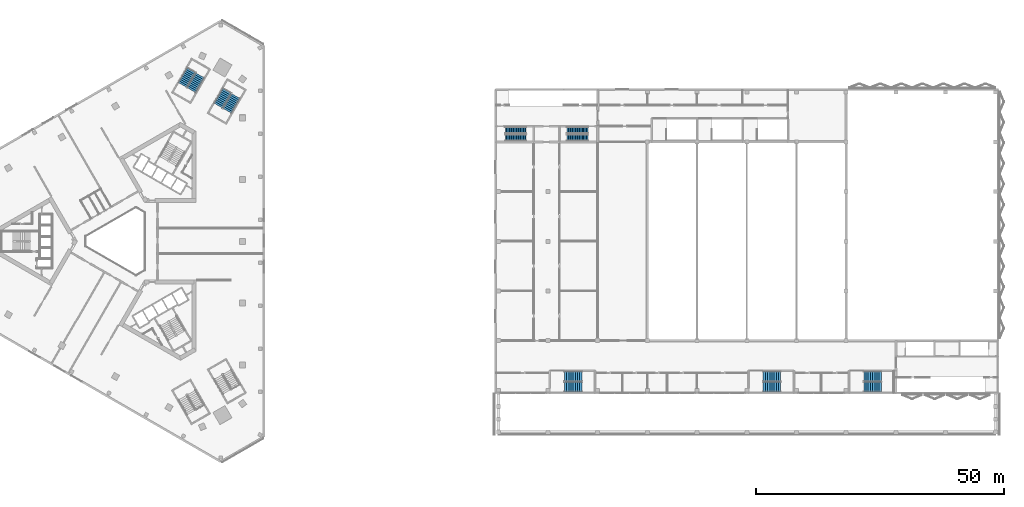
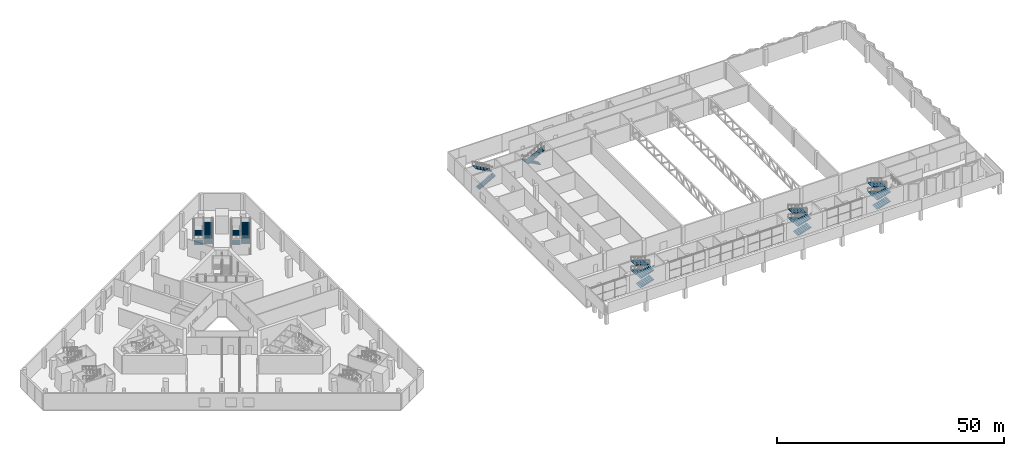
# One storey, part 21 of 36: 24 stair flights, 7 elements without a shape of their own.
"""IFC4 building model written with IfcOpenShell, lengths in metres."""

from ifc_helpers import new_model, si_unit, direction, frame, origin, place, context, subcontext, project, spatial, polyline, outline, extrude, material, type_object, element, aggregate, save


model = new_model("IFC4")

# Units and contexts
model_context = context("Model", 3, precision=1e-05, world=origin(), true_north=direction((0.0, 1.0)))
body_context = subcontext(model_context, "Body", "Model", "MODEL_VIEW")
ifc_project = project(units=[si_unit("LENGTHUNIT", "METRE"), si_unit("AREAUNIT", "SQUARE_METRE"), si_unit("VOLUMEUNIT", "CUBIC_METRE"), si_unit("PLANEANGLEUNIT", "RADIAN"), si_unit("MASSUNIT", "GRAM", prefix="KILO")], contexts=[model_context])

# Site, building, storey
site_placement = place(None, origin())
site = spatial("IfcSite", under=ifc_project, at=site_placement, CompositionType="ELEMENT")
building_placement = place(site_placement, origin())
building = spatial("IfcBuilding", under=site, at=building_placement, Name="Jabali Bay Hotel Tower and Convention Centre", CompositionType="ELEMENT")
storey_placement = place(building_placement, frame((0.0, 0.0, 20.39990234375)))
storey = spatial("IfcBuildingStorey", under=building, at=storey_placement, Name="L03", CompositionType="ELEMENT", Elevation=20.39990234375)

# Stair, stair flights
ifc_material = material(Name="Concrete C40", Category="concrete")
stair_type_1 = type_object("IfcStairType", Name="CC Dogleg Stair 1350", PredefinedType="HALF_TURN_STAIR", material=ifc_material)
stair_1_placement = place(storey_placement, origin())
stair_1 = element("IfcStair", 1, at=stair_1_placement, inside=storey, type_object=stair_type_1, Name="L03 West stair A", PredefinedType="HALF_TURN_STAIR")
stair_flight_type_1 = type_object("IfcStairFlightType", Name="CC Stair Flight 1350", PredefinedType="STRAIGHT", material=ifc_material)
stair_flight_1_placement = place(storey_placement, frame((152.10009765625, 100.85009765625, 0.0), z_axis=(0.0, 0.0, 1.0), x_axis=(1.0, 0.0, 0.0)))
stair_flight_1 = element("IfcStairFlight", 2, at=stair_flight_1_placement, type_object=stair_flight_type_1, Name="CC-STWA flight 1", NumberOfRisers=16, NumberOfTreads=15, PredefinedType="STRAIGHT", RiserHeight=0.15625, TreadLength=0.28, context=body_context, shape_type="SweptSolid", body=[
    extrude(outline(polyline([(0.0, 0.0), (0.0, 0.15625), (0.280029296875, 0.15625), (0.280029296875, 0.3125), (0.56005859375, 0.3125), (0.56005859375, 0.46875), (0.840087890625, 0.46875), (0.840087890625, 0.625), (1.1201171875, 0.625), (1.1201171875, 0.78125), (1.39990234375, 0.78125), (1.39990234375, 0.9375), (1.679931640625, 0.9375), (1.679931640625, 1.09375), (1.9599609375, 1.09375), (1.9599609375, 1.25), (2.239990234375, 1.25), (2.239990234375, 1.40625), (2.52001953125, 1.40625), (2.52001953125, 1.5625), (2.800048828125, 1.5625), (2.800048828125, 1.71875), (3.080078125, 1.71875), (3.080078125, 1.875), (3.360107421875, 1.875), (3.360107421875, 2.03125), (3.639892578125, 2.03125), (3.639892578125, 2.1875), (3.919921875, 2.1875), (3.919921875, 2.34375), (4.199951171875, 2.34375), (4.199951171875, 2.5), (4.199951171875, 2.172119140625), (0.3076171875, 0.0), (0.0, 0.0)])), frame((0.0, 0.675048828125, 0.0), z_axis=(0.0, -1.0, 0.0), x_axis=(1.0, 0.0, 0.0)), (0.0, 0.0, 1.0), 1.35009765625),
])
stair_flight_2_placement = place(storey_placement, frame((156.300048828125, 102.35009765625, 2.5), z_axis=(0.0, 0.0, 1.0), x_axis=(-1.0, 0.0, 0.0)))
stair_flight_2 = element("IfcStairFlight", 3, at=stair_flight_2_placement, type_object=stair_flight_type_1, Name="CC-STWA flight 2", NumberOfRisers=16, NumberOfTreads=15, PredefinedType="STRAIGHT", RiserHeight=0.15625, TreadLength=0.28, context=body_context, shape_type="SweptSolid", body=[
    extrude(outline(polyline([(0.0, 0.0), (0.0, 0.15625), (0.280029296875, 0.15625), (0.280029296875, 0.3125), (0.56005859375, 0.3125), (0.56005859375, 0.46875), (0.840087890625, 0.46875), (0.840087890625, 0.625), (1.1201171875, 0.625), (1.1201171875, 0.78125), (1.39990234375, 0.78125), (1.39990234375, 0.9375), (1.679931640625, 0.9375), (1.679931640625, 1.09375), (1.9599609375, 1.09375), (1.9599609375, 1.25), (2.239990234375, 1.25), (2.239990234375, 1.40625), (2.52001953125, 1.40625), (2.52001953125, 1.5625), (2.800048828125, 1.5625), (2.800048828125, 1.71875), (3.080078125, 1.71875), (3.080078125, 1.875), (3.360107421875, 1.875), (3.360107421875, 2.03125), (3.639892578125, 2.03125), (3.639892578125, 2.1875), (3.919921875, 2.1875), (3.919921875, 2.34375), (4.199951171875, 2.34375), (4.199951171875, 2.5), (4.199951171875, 2.172119140625), (0.3076171875, 0.0), (0.0, 0.0)])), frame((0.0, 0.675048828125, 0.0), z_axis=(0.0, -1.0, 0.0), x_axis=(1.0, 0.0, 0.0)), (0.0, 0.0, 1.0), 1.35009765625),
])
aggregate(stair_1, [stair_flight_1, stair_flight_2])

stair_2_placement = place(storey_placement, origin())
stair_2 = element("IfcStair", 4, at=stair_2_placement, inside=storey, type_object=stair_type_1, Name="L03 West stair B", PredefinedType="HALF_TURN_STAIR")
stair_flight_3_placement = place(storey_placement, frame((168.72509765625, 102.35009765625, 0.0), z_axis=(0.0, 0.0, 1.0), x_axis=(-1.0, 0.0, 0.0)))
stair_flight_3 = element("IfcStairFlight", 5, at=stair_flight_3_placement, type_object=stair_flight_type_1, Name="CC-STWB flight 1", NumberOfRisers=16, NumberOfTreads=15, PredefinedType="STRAIGHT", RiserHeight=0.15625, TreadLength=0.28, context=body_context, shape_type="SweptSolid", body=[
    extrude(outline(polyline([(0.0, 0.0), (0.0, 0.15625), (0.280029296875, 0.15625), (0.280029296875, 0.3125), (0.56005859375, 0.3125), (0.56005859375, 0.46875), (0.840087890625, 0.46875), (0.840087890625, 0.625), (1.1201171875, 0.625), (1.1201171875, 0.78125), (1.39990234375, 0.78125), (1.39990234375, 0.9375), (1.679931640625, 0.9375), (1.679931640625, 1.09375), (1.9599609375, 1.09375), (1.9599609375, 1.25), (2.239990234375, 1.25), (2.239990234375, 1.40625), (2.52001953125, 1.40625), (2.52001953125, 1.5625), (2.800048828125, 1.5625), (2.800048828125, 1.71875), (3.080078125, 1.71875), (3.080078125, 1.875), (3.360107421875, 1.875), (3.360107421875, 2.03125), (3.639892578125, 2.03125), (3.639892578125, 2.1875), (3.919921875, 2.1875), (3.919921875, 2.34375), (4.199951171875, 2.34375), (4.199951171875, 2.5), (4.199951171875, 2.172119140625), (0.3076171875, 0.0), (0.0, 0.0)])), frame((0.0, 0.675048828125, 0.0), z_axis=(0.0, -1.0, 0.0), x_axis=(1.0, 0.0, 0.0)), (0.0, 0.0, 1.0), 1.35009765625),
])
stair_flight_4_placement = place(storey_placement, frame((164.52490234375, 100.85009765625, 2.5), z_axis=(0.0, 0.0, 1.0), x_axis=(1.0, 0.0, 0.0)))
stair_flight_4 = element("IfcStairFlight", 6, at=stair_flight_4_placement, type_object=stair_flight_type_1, Name="CC-STWB flight 2", NumberOfRisers=16, NumberOfTreads=15, PredefinedType="STRAIGHT", RiserHeight=0.15625, TreadLength=0.28, context=body_context, shape_type="SweptSolid", body=[
    extrude(outline(polyline([(0.0, 0.0), (0.0, 0.15625), (0.280029296875, 0.15625), (0.280029296875, 0.3125), (0.56005859375, 0.3125), (0.56005859375, 0.46875), (0.840087890625, 0.46875), (0.840087890625, 0.625), (1.1201171875, 0.625), (1.1201171875, 0.78125), (1.39990234375, 0.78125), (1.39990234375, 0.9375), (1.679931640625, 0.9375), (1.679931640625, 1.09375), (1.9599609375, 1.09375), (1.9599609375, 1.25), (2.239990234375, 1.25), (2.239990234375, 1.40625), (2.52001953125, 1.40625), (2.52001953125, 1.5625), (2.800048828125, 1.5625), (2.800048828125, 1.71875), (3.080078125, 1.71875), (3.080078125, 1.875), (3.360107421875, 1.875), (3.360107421875, 2.03125), (3.639892578125, 2.03125), (3.639892578125, 2.1875), (3.919921875, 2.1875), (3.919921875, 2.34375), (4.199951171875, 2.34375), (4.199951171875, 2.5), (4.199951171875, 2.172119140625), (0.3076171875, 0.0), (0.0, 0.0)])), frame((0.0, 0.675048828125, 0.0), z_axis=(0.0, -1.0, 0.0), x_axis=(1.0, 0.0, 0.0)), (0.0, 0.0, 1.0), 1.35009765625),
])
aggregate(stair_2, [stair_flight_3, stair_flight_4])

stair_3_placement = place(storey_placement, origin())
stair_3 = element("IfcStair", 7, at=stair_3_placement, inside=storey, type_object=stair_type_1, Name="L03 South Exit Stair 1", PredefinedType="HALF_TURN_STAIR")
stair_flight_5_placement = place(storey_placement, frame((164.0, 50.699951171875, 0.0), z_axis=(0.0, 0.0, 1.0), x_axis=(1.0, 0.0, 0.0)))
stair_flight_5 = element("IfcStairFlight", 8, at=stair_flight_5_placement, type_object=stair_flight_type_1, Name="CC-STS1 flight 1", NumberOfRisers=9, NumberOfTreads=8, PredefinedType="STRAIGHT", RiserHeight=0.138888889, TreadLength=0.44, context=body_context, shape_type="SweptSolid", body=[
    extrude(outline(polyline([(0.0, 0.0), (0.0, 0.138916015625), (0.43994140625, 0.138916015625), (0.43994140625, 0.27783203125), (0.8798828125, 0.27783203125), (0.8798828125, 0.416748046875), (1.320068359375, 0.416748046875), (1.320068359375, 0.5556640625), (1.760009765625, 0.5556640625), (1.760009765625, 0.6943359375), (2.199951171875, 0.6943359375), (2.199951171875, 0.833251953125), (2.639892578125, 0.833251953125), (2.639892578125, 0.97216796875), (3.080078125, 0.97216796875), (3.080078125, 1.111083984375), (3.52001953125, 1.111083984375), (3.52001953125, 1.25), (3.52001953125, 0.953857421875), (0.498046875, 0.0), (0.0, 0.0)])), frame((0.0, 1.0, 0.0), z_axis=(0.0, -1.0, 0.0), x_axis=(1.0, 0.0, 0.0)), (0.0, 0.0, 1.0), 2.0),
])
stair_flight_6_placement = place(storey_placement, frame((167.52001953125, 52.800048828125, 1.25), z_axis=(0.0, 0.0, 1.0), x_axis=(-1.0, 0.0, 0.0)))
stair_flight_6 = element("IfcStairFlight", 9, at=stair_flight_6_placement, type_object=stair_flight_type_1, Name="CC-STS1 flight 2", NumberOfRisers=9, NumberOfTreads=8, PredefinedType="STRAIGHT", RiserHeight=0.138888889, TreadLength=0.44, context=body_context, shape_type="SweptSolid", body=[
    extrude(outline(polyline([(0.0, 0.0), (0.0, 0.138916015625), (0.43994140625, 0.138916015625), (0.43994140625, 0.27783203125), (0.8798828125, 0.27783203125), (0.8798828125, 0.416748046875), (1.320068359375, 0.416748046875), (1.320068359375, 0.5556640625), (1.760009765625, 0.5556640625), (1.760009765625, 0.6943359375), (2.199951171875, 0.6943359375), (2.199951171875, 0.833251953125), (2.639892578125, 0.833251953125), (2.639892578125, 0.97216796875), (3.080078125, 0.97216796875), (3.080078125, 1.111083984375), (3.52001953125, 1.111083984375), (3.52001953125, 1.25), (3.52001953125, 0.953857421875), (0.498046875, 0.0), (0.0, 0.0)])), frame((0.0, 1.0, 0.0), z_axis=(0.0, -1.0, 0.0), x_axis=(1.0, 0.0, 0.0)), (0.0, 0.0, 1.0), 2.0),
])
stair_flight_7_placement = place(storey_placement, frame((164.0, 50.699951171875, 2.5), z_axis=(0.0, 0.0, 1.0), x_axis=(1.0, 0.0, 0.0)))
stair_flight_7 = element("IfcStairFlight", 10, at=stair_flight_7_placement, type_object=stair_flight_type_1, Name="CC-STS1 flight 3", NumberOfRisers=9, NumberOfTreads=8, PredefinedType="STRAIGHT", RiserHeight=0.138888889, TreadLength=0.44, context=body_context, shape_type="SweptSolid", body=[
    extrude(outline(polyline([(0.0, 0.0), (0.0, 0.138916015625), (0.43994140625, 0.138916015625), (0.43994140625, 0.27783203125), (0.8798828125, 0.27783203125), (0.8798828125, 0.416748046875), (1.320068359375, 0.416748046875), (1.320068359375, 0.5556640625), (1.760009765625, 0.5556640625), (1.760009765625, 0.6943359375), (2.199951171875, 0.6943359375), (2.199951171875, 0.833251953125), (2.639892578125, 0.833251953125), (2.639892578125, 0.97216796875), (3.080078125, 0.97216796875), (3.080078125, 1.111083984375), (3.52001953125, 1.111083984375), (3.52001953125, 1.25), (3.52001953125, 0.953857421875), (0.498046875, 0.0), (0.0, 0.0)])), frame((0.0, 1.0, 0.0), z_axis=(0.0, -1.0, 0.0), x_axis=(1.0, 0.0, 0.0)), (0.0, 0.0, 1.0), 2.0),
])
stair_flight_8_placement = place(storey_placement, frame((167.52001953125, 52.800048828125, 3.75), z_axis=(0.0, 0.0, 1.0), x_axis=(-1.0, 0.0, 0.0)))
stair_flight_8 = element("IfcStairFlight", 11, at=stair_flight_8_placement, type_object=stair_flight_type_1, Name="CC-STS1 flight 4", NumberOfRisers=9, NumberOfTreads=8, PredefinedType="STRAIGHT", RiserHeight=0.138888889, TreadLength=0.44, context=body_context, shape_type="SweptSolid", body=[
    extrude(outline(polyline([(0.0, 0.0), (0.0, 0.138916015625), (0.43994140625, 0.138916015625), (0.43994140625, 0.27783203125), (0.8798828125, 0.27783203125), (0.8798828125, 0.416748046875), (1.320068359375, 0.416748046875), (1.320068359375, 0.5556640625), (1.760009765625, 0.5556640625), (1.760009765625, 0.6943359375), (2.199951171875, 0.6943359375), (2.199951171875, 0.833251953125), (2.639892578125, 0.833251953125), (2.639892578125, 0.97216796875), (3.080078125, 0.97216796875), (3.080078125, 1.111083984375), (3.52001953125, 1.111083984375), (3.52001953125, 1.25), (3.52001953125, 0.953857421875), (0.498046875, 0.0), (0.0, 0.0)])), frame((0.0, 1.0, 0.0), z_axis=(0.0, -1.0, 0.0), x_axis=(1.0, 0.0, 0.0)), (0.0, 0.0, 1.0), 2.0),
])
aggregate(stair_3, [stair_flight_5, stair_flight_6, stair_flight_7, stair_flight_8])

stair_4_placement = place(storey_placement, origin())
stair_4 = element("IfcStair", 12, at=stair_4_placement, inside=storey, type_object=stair_type_1, Name="L03 South Exit Stair 2", PredefinedType="HALF_TURN_STAIR")
stair_flight_9_placement = place(storey_placement, frame((204.0, 50.699951171875, 0.0), z_axis=(0.0, 0.0, 1.0), x_axis=(1.0, 0.0, 0.0)))
stair_flight_9 = element("IfcStairFlight", 13, at=stair_flight_9_placement, type_object=stair_flight_type_1, Name="CC-STS2 flight 1", NumberOfRisers=9, NumberOfTreads=8, PredefinedType="STRAIGHT", RiserHeight=0.138888889, TreadLength=0.44, context=body_context, shape_type="SweptSolid", body=[
    extrude(outline(polyline([(0.0, 0.0), (0.0, 0.138916015625), (0.43994140625, 0.138916015625), (0.43994140625, 0.27783203125), (0.8798828125, 0.27783203125), (0.8798828125, 0.416748046875), (1.320068359375, 0.416748046875), (1.320068359375, 0.5556640625), (1.760009765625, 0.5556640625), (1.760009765625, 0.6943359375), (2.199951171875, 0.6943359375), (2.199951171875, 0.833251953125), (2.639892578125, 0.833251953125), (2.639892578125, 0.97216796875), (3.080078125, 0.97216796875), (3.080078125, 1.111083984375), (3.52001953125, 1.111083984375), (3.52001953125, 1.25), (3.52001953125, 0.953857421875), (0.498046875, 0.0), (0.0, 0.0)])), frame((0.0, 1.0, 0.0), z_axis=(0.0, -1.0, 0.0), x_axis=(1.0, 0.0, 0.0)), (0.0, 0.0, 1.0), 2.0),
])
stair_flight_10_placement = place(storey_placement, frame((207.52001953125, 52.800048828125, 1.25), z_axis=(0.0, 0.0, 1.0), x_axis=(-1.0, 0.0, 0.0)))
stair_flight_10 = element("IfcStairFlight", 14, at=stair_flight_10_placement, type_object=stair_flight_type_1, Name="CC-STS2 flight 2", NumberOfRisers=9, NumberOfTreads=8, PredefinedType="STRAIGHT", RiserHeight=0.138888889, TreadLength=0.44, context=body_context, shape_type="SweptSolid", body=[
    extrude(outline(polyline([(0.0, 0.0), (0.0, 0.138916015625), (0.43994140625, 0.138916015625), (0.43994140625, 0.27783203125), (0.8798828125, 0.27783203125), (0.8798828125, 0.416748046875), (1.320068359375, 0.416748046875), (1.320068359375, 0.5556640625), (1.760009765625, 0.5556640625), (1.760009765625, 0.6943359375), (2.199951171875, 0.6943359375), (2.199951171875, 0.833251953125), (2.639892578125, 0.833251953125), (2.639892578125, 0.97216796875), (3.080078125, 0.97216796875), (3.080078125, 1.111083984375), (3.52001953125, 1.111083984375), (3.52001953125, 1.25), (3.52001953125, 0.953857421875), (0.498046875, 0.0), (0.0, 0.0)])), frame((0.0, 1.0, 0.0), z_axis=(0.0, -1.0, 0.0), x_axis=(1.0, 0.0, 0.0)), (0.0, 0.0, 1.0), 2.0),
])
stair_flight_11_placement = place(storey_placement, frame((204.0, 50.699951171875, 2.5), z_axis=(0.0, 0.0, 1.0), x_axis=(1.0, 0.0, 0.0)))
stair_flight_11 = element("IfcStairFlight", 15, at=stair_flight_11_placement, type_object=stair_flight_type_1, Name="CC-STS2 flight 3", NumberOfRisers=9, NumberOfTreads=8, PredefinedType="STRAIGHT", RiserHeight=0.138888889, TreadLength=0.44, context=body_context, shape_type="SweptSolid", body=[
    extrude(outline(polyline([(0.0, 0.0), (0.0, 0.138916015625), (0.43994140625, 0.138916015625), (0.43994140625, 0.27783203125), (0.8798828125, 0.27783203125), (0.8798828125, 0.416748046875), (1.320068359375, 0.416748046875), (1.320068359375, 0.5556640625), (1.760009765625, 0.5556640625), (1.760009765625, 0.6943359375), (2.199951171875, 0.6943359375), (2.199951171875, 0.833251953125), (2.639892578125, 0.833251953125), (2.639892578125, 0.97216796875), (3.080078125, 0.97216796875), (3.080078125, 1.111083984375), (3.52001953125, 1.111083984375), (3.52001953125, 1.25), (3.52001953125, 0.953857421875), (0.498046875, 0.0), (0.0, 0.0)])), frame((0.0, 1.0, 0.0), z_axis=(0.0, -1.0, 0.0), x_axis=(1.0, 0.0, 0.0)), (0.0, 0.0, 1.0), 2.0),
])
stair_flight_12_placement = place(storey_placement, frame((207.52001953125, 52.800048828125, 3.75), z_axis=(0.0, 0.0, 1.0), x_axis=(-1.0, 0.0, 0.0)))
stair_flight_12 = element("IfcStairFlight", 16, at=stair_flight_12_placement, type_object=stair_flight_type_1, Name="CC-STS2 flight 4", NumberOfRisers=9, NumberOfTreads=8, PredefinedType="STRAIGHT", RiserHeight=0.138888889, TreadLength=0.44, context=body_context, shape_type="SweptSolid", body=[
    extrude(outline(polyline([(0.0, 0.0), (0.0, 0.138916015625), (0.43994140625, 0.138916015625), (0.43994140625, 0.27783203125), (0.8798828125, 0.27783203125), (0.8798828125, 0.416748046875), (1.320068359375, 0.416748046875), (1.320068359375, 0.5556640625), (1.760009765625, 0.5556640625), (1.760009765625, 0.6943359375), (2.199951171875, 0.6943359375), (2.199951171875, 0.833251953125), (2.639892578125, 0.833251953125), (2.639892578125, 0.97216796875), (3.080078125, 0.97216796875), (3.080078125, 1.111083984375), (3.52001953125, 1.111083984375), (3.52001953125, 1.25), (3.52001953125, 0.953857421875), (0.498046875, 0.0), (0.0, 0.0)])), frame((0.0, 1.0, 0.0), z_axis=(0.0, -1.0, 0.0), x_axis=(1.0, 0.0, 0.0)), (0.0, 0.0, 1.0), 2.0),
])
aggregate(stair_4, [stair_flight_9, stair_flight_10, stair_flight_11, stair_flight_12])

stair_5_placement = place(storey_placement, origin())
stair_5 = element("IfcStair", 17, at=stair_5_placement, inside=storey, type_object=stair_type_1, Name="L03 South Exit Stair 3", PredefinedType="HALF_TURN_STAIR")
stair_flight_13_placement = place(storey_placement, frame((224.25, 50.699951171875, 0.0), z_axis=(0.0, 0.0, 1.0), x_axis=(1.0, 0.0, 0.0)))
stair_flight_13 = element("IfcStairFlight", 18, at=stair_flight_13_placement, type_object=stair_flight_type_1, Name="CC-STS3 flight 1", NumberOfRisers=9, NumberOfTreads=8, PredefinedType="STRAIGHT", RiserHeight=0.138888889, TreadLength=0.44, context=body_context, shape_type="SweptSolid", body=[
    extrude(outline(polyline([(0.0, 0.0), (0.0, 0.138916015625), (0.43994140625, 0.138916015625), (0.43994140625, 0.27783203125), (0.8798828125, 0.27783203125), (0.8798828125, 0.416748046875), (1.320068359375, 0.416748046875), (1.320068359375, 0.5556640625), (1.760009765625, 0.5556640625), (1.760009765625, 0.6943359375), (2.199951171875, 0.6943359375), (2.199951171875, 0.833251953125), (2.639892578125, 0.833251953125), (2.639892578125, 0.97216796875), (3.080078125, 0.97216796875), (3.080078125, 1.111083984375), (3.52001953125, 1.111083984375), (3.52001953125, 1.25), (3.52001953125, 0.953857421875), (0.498046875, 0.0), (0.0, 0.0)])), frame((0.0, 1.0, 0.0), z_axis=(0.0, -1.0, 0.0), x_axis=(1.0, 0.0, 0.0)), (0.0, 0.0, 1.0), 2.0),
])
stair_flight_14_placement = place(storey_placement, frame((227.77001953125, 52.800048828125, 1.25), z_axis=(0.0, 0.0, 1.0), x_axis=(-1.0, 0.0, 0.0)))
stair_flight_14 = element("IfcStairFlight", 19, at=stair_flight_14_placement, type_object=stair_flight_type_1, Name="CC-STS3 flight 2", NumberOfRisers=9, NumberOfTreads=8, PredefinedType="STRAIGHT", RiserHeight=0.138888889, TreadLength=0.44, context=body_context, shape_type="SweptSolid", body=[
    extrude(outline(polyline([(0.0, 0.0), (0.0, 0.138916015625), (0.43994140625, 0.138916015625), (0.43994140625, 0.27783203125), (0.8798828125, 0.27783203125), (0.8798828125, 0.416748046875), (1.320068359375, 0.416748046875), (1.320068359375, 0.5556640625), (1.760009765625, 0.5556640625), (1.760009765625, 0.6943359375), (2.199951171875, 0.6943359375), (2.199951171875, 0.833251953125), (2.639892578125, 0.833251953125), (2.639892578125, 0.97216796875), (3.080078125, 0.97216796875), (3.080078125, 1.111083984375), (3.52001953125, 1.111083984375), (3.52001953125, 1.25), (3.52001953125, 0.953857421875), (0.498046875, 0.0), (0.0, 0.0)])), frame((0.0, 1.0, 0.0), z_axis=(0.0, -1.0, 0.0), x_axis=(1.0, 0.0, 0.0)), (0.0, 0.0, 1.0), 2.0),
])
stair_flight_15_placement = place(storey_placement, frame((224.25, 50.699951171875, 2.5), z_axis=(0.0, 0.0, 1.0), x_axis=(1.0, 0.0, 0.0)))
stair_flight_15 = element("IfcStairFlight", 20, at=stair_flight_15_placement, type_object=stair_flight_type_1, Name="CC-STS3 flight 3", NumberOfRisers=9, NumberOfTreads=8, PredefinedType="STRAIGHT", RiserHeight=0.138888889, TreadLength=0.44, context=body_context, shape_type="SweptSolid", body=[
    extrude(outline(polyline([(0.0, 0.0), (0.0, 0.138916015625), (0.43994140625, 0.138916015625), (0.43994140625, 0.27783203125), (0.8798828125, 0.27783203125), (0.8798828125, 0.416748046875), (1.320068359375, 0.416748046875), (1.320068359375, 0.5556640625), (1.760009765625, 0.5556640625), (1.760009765625, 0.6943359375), (2.199951171875, 0.6943359375), (2.199951171875, 0.833251953125), (2.639892578125, 0.833251953125), (2.639892578125, 0.97216796875), (3.080078125, 0.97216796875), (3.080078125, 1.111083984375), (3.52001953125, 1.111083984375), (3.52001953125, 1.25), (3.52001953125, 0.953857421875), (0.498046875, 0.0), (0.0, 0.0)])), frame((0.0, 1.0, 0.0), z_axis=(0.0, -1.0, 0.0), x_axis=(1.0, 0.0, 0.0)), (0.0, 0.0, 1.0), 2.0),
])
stair_flight_16_placement = place(storey_placement, frame((227.77001953125, 52.800048828125, 3.75), z_axis=(0.0, 0.0, 1.0), x_axis=(-1.0, 0.0, 0.0)))
stair_flight_16 = element("IfcStairFlight", 21, at=stair_flight_16_placement, type_object=stair_flight_type_1, Name="CC-STS3 flight 4", NumberOfRisers=9, NumberOfTreads=8, PredefinedType="STRAIGHT", RiserHeight=0.138888889, TreadLength=0.44, context=body_context, shape_type="SweptSolid", body=[
    extrude(outline(polyline([(0.0, 0.0), (0.0, 0.138916015625), (0.43994140625, 0.138916015625), (0.43994140625, 0.27783203125), (0.8798828125, 0.27783203125), (0.8798828125, 0.416748046875), (1.320068359375, 0.416748046875), (1.320068359375, 0.5556640625), (1.760009765625, 0.5556640625), (1.760009765625, 0.6943359375), (2.199951171875, 0.6943359375), (2.199951171875, 0.833251953125), (2.639892578125, 0.833251953125), (2.639892578125, 0.97216796875), (3.080078125, 0.97216796875), (3.080078125, 1.111083984375), (3.52001953125, 1.111083984375), (3.52001953125, 1.25), (3.52001953125, 0.953857421875), (0.498046875, 0.0), (0.0, 0.0)])), frame((0.0, 1.0, 0.0), z_axis=(0.0, -1.0, 0.0), x_axis=(1.0, 0.0, 0.0)), (0.0, 0.0, 1.0), 2.0),
])
aggregate(stair_5, [stair_flight_13, stair_flight_14, stair_flight_15, stair_flight_16])

stair_type_2 = type_object("IfcStairType", Name="Podium stair 1950", PredefinedType="HALF_TURN_STAIR", material=ifc_material)
stair_6_placement = place(storey_placement, origin())
stair_6 = element("IfcStair", 22, at=stair_6_placement, inside=storey, type_object=stair_type_2, Name="L03 Podium Exit Stair 3", PredefinedType="HALF_TURN_STAIR")
stair_flight_type_2 = type_object("IfcStairFlightType", Name="Stair flight concrete 150", PredefinedType="STRAIGHT", material=ifc_material)
stair_flight_17_placement = place(storey_placement, frame((88.893310546875, 114.413818359375, 0.0), z_axis=(0.0, 0.0, 1.0), x_axis=(-0.5, -0.866025403784, 0.0)))
stair_flight_17 = element("IfcStairFlight", 23, at=stair_flight_17_placement, type_object=stair_flight_type_2, Name="PS3 flight 1", NumberOfRisers=10, NumberOfTreads=9, PredefinedType="STRAIGHT", RiserHeight=0.125, TreadLength=0.38, context=body_context, shape_type="SweptSolid", body=[
    extrude(outline(polyline([(0.0, 0.0), (0.0, 0.125), (0.3798828125, 0.125), (0.3798828125, 0.25), (0.760009765625, 0.25), (0.760009765625, 0.375), (1.139892578125, 0.375), (1.139892578125, 0.5), (1.52001953125, 0.5), (1.52001953125, 0.625), (1.89990234375, 0.625), (1.89990234375, 0.75), (2.280029296875, 0.75), (2.280029296875, 0.875), (2.659912109375, 0.875), (2.659912109375, 1.0), (3.0400390625, 1.0), (3.0400390625, 1.125), (3.419921875, 1.125), (3.419921875, 1.25), (3.419921875, 0.96728515625), (0.479736328125, 0.0), (0.0, 0.0)])), frame((0.0, 0.97509765625, 0.0), z_axis=(0.0, -1.0, 0.0), x_axis=(1.0, 0.0, 0.0)), (0.0, 0.0, 1.0), 1.949951171875),
])
stair_flight_18_placement = place(storey_placement, frame((88.958740234375, 110.42724609375, 1.25), z_axis=(0.0, 0.0, 1.0), x_axis=(0.5, 0.866025403784, 0.0)))
stair_flight_18 = element("IfcStairFlight", 24, at=stair_flight_18_placement, type_object=stair_flight_type_2, Name="PS3 flight 2", NumberOfRisers=10, NumberOfTreads=9, PredefinedType="STRAIGHT", RiserHeight=0.125, TreadLength=0.38, context=body_context, shape_type="SweptSolid", body=[
    extrude(outline(polyline([(0.0, 0.0), (0.0, 0.125), (0.3798828125, 0.125), (0.3798828125, 0.25), (0.760009765625, 0.25), (0.760009765625, 0.375), (1.139892578125, 0.375), (1.139892578125, 0.5), (1.52001953125, 0.5), (1.52001953125, 0.625), (1.89990234375, 0.625), (1.89990234375, 0.75), (2.280029296875, 0.75), (2.280029296875, 0.875), (2.659912109375, 0.875), (2.659912109375, 1.0), (3.0400390625, 1.0), (3.0400390625, 1.125), (3.419921875, 1.125), (3.419921875, 1.25), (3.419921875, 0.96728515625), (0.479736328125, 0.0), (0.0, 0.0)])), frame((0.0, 0.97509765625, 0.0), z_axis=(0.0, -1.0, 0.0), x_axis=(1.0, 0.0, 0.0)), (0.0, 0.0, 1.0), 1.949951171875),
])
stair_flight_19_placement = place(storey_placement, frame((88.893310546875, 114.413818359375, 2.5), z_axis=(0.0, 0.0, 1.0), x_axis=(-0.5, -0.866025403784, 0.0)))
stair_flight_19 = element("IfcStairFlight", 25, at=stair_flight_19_placement, type_object=stair_flight_type_2, Name="PS3 flight 3", NumberOfRisers=10, NumberOfTreads=9, PredefinedType="STRAIGHT", RiserHeight=0.125, TreadLength=0.38, context=body_context, shape_type="SweptSolid", body=[
    extrude(outline(polyline([(0.0, 0.0), (0.0, 0.125), (0.3798828125, 0.125), (0.3798828125, 0.25), (0.760009765625, 0.25), (0.760009765625, 0.375), (1.139892578125, 0.375), (1.139892578125, 0.5), (1.52001953125, 0.5), (1.52001953125, 0.625), (1.89990234375, 0.625), (1.89990234375, 0.75), (2.280029296875, 0.75), (2.280029296875, 0.875), (2.659912109375, 0.875), (2.659912109375, 1.0), (3.0400390625, 1.0), (3.0400390625, 1.125), (3.419921875, 1.125), (3.419921875, 1.25), (3.419921875, 0.96728515625), (0.479736328125, 0.0), (0.0, 0.0)])), frame((0.0, 0.97509765625, 0.0), z_axis=(0.0, -1.0, 0.0), x_axis=(1.0, 0.0, 0.0)), (0.0, 0.0, 1.0), 1.949951171875),
])
stair_flight_20_placement = place(storey_placement, frame((88.958740234375, 110.42724609375, 3.75), z_axis=(0.0, 0.0, 1.0), x_axis=(0.5, 0.866025403784, 0.0)))
stair_flight_20 = element("IfcStairFlight", 26, at=stair_flight_20_placement, type_object=stair_flight_type_2, Name="PS3 flight 4", NumberOfRisers=10, NumberOfTreads=9, PredefinedType="STRAIGHT", RiserHeight=0.125, TreadLength=0.38, context=body_context, shape_type="SweptSolid", body=[
    extrude(outline(polyline([(0.0, 0.0), (0.0, 0.125), (0.3798828125, 0.125), (0.3798828125, 0.25), (0.760009765625, 0.25), (0.760009765625, 0.375), (1.139892578125, 0.375), (1.139892578125, 0.5), (1.52001953125, 0.5), (1.52001953125, 0.625), (1.89990234375, 0.625), (1.89990234375, 0.75), (2.280029296875, 0.75), (2.280029296875, 0.875), (2.659912109375, 0.875), (2.659912109375, 1.0), (3.0400390625, 1.0), (3.0400390625, 1.125), (3.419921875, 1.125), (3.419921875, 1.25), (3.419921875, 0.96728515625), (0.479736328125, 0.0), (0.0, 0.0)])), frame((0.0, 0.97509765625, 0.0), z_axis=(0.0, -1.0, 0.0), x_axis=(1.0, 0.0, 0.0)), (0.0, 0.0, 1.0), 1.949951171875),
])
aggregate(stair_6, [stair_flight_17, stair_flight_18, stair_flight_19, stair_flight_20])

stair_7_placement = place(storey_placement, origin())
stair_7 = element("IfcStair", 27, at=stair_7_placement, inside=storey, type_object=stair_type_2, Name="L03 Podium Exit Stair 4", PredefinedType="HALF_TURN_STAIR")
stair_flight_21_placement = place(storey_placement, frame((96.081298828125, 110.263916015625, 0.0), z_axis=(0.0, 0.0, 1.0), x_axis=(-0.5, -0.866025403784, 0.0)))
stair_flight_21 = element("IfcStairFlight", 28, at=stair_flight_21_placement, type_object=stair_flight_type_2, Name="PS4 flight 1", NumberOfRisers=10, NumberOfTreads=9, PredefinedType="STRAIGHT", RiserHeight=0.125, TreadLength=0.38, context=body_context, shape_type="SweptSolid", body=[
    extrude(outline(polyline([(0.0, 0.0), (0.0, 0.125), (0.3798828125, 0.125), (0.3798828125, 0.25), (0.760009765625, 0.25), (0.760009765625, 0.375), (1.139892578125, 0.375), (1.139892578125, 0.5), (1.52001953125, 0.5), (1.52001953125, 0.625), (1.89990234375, 0.625), (1.89990234375, 0.75), (2.280029296875, 0.75), (2.280029296875, 0.875), (2.659912109375, 0.875), (2.659912109375, 1.0), (3.0400390625, 1.0), (3.0400390625, 1.125), (3.419921875, 1.125), (3.419921875, 1.25), (3.419921875, 0.96728515625), (0.479736328125, 0.0), (0.0, 0.0)])), frame((0.0, 0.97509765625, 0.0), z_axis=(0.0, -1.0, 0.0), x_axis=(1.0, 0.0, 0.0)), (0.0, 0.0, 1.0), 1.949951171875),
])
stair_flight_22_placement = place(storey_placement, frame((96.146728515625, 106.277099609375, 1.25), z_axis=(0.0, 0.0, 1.0), x_axis=(0.5, 0.866025403784, 0.0)))
stair_flight_22 = element("IfcStairFlight", 29, at=stair_flight_22_placement, type_object=stair_flight_type_2, Name="PS4 flight 2", NumberOfRisers=10, NumberOfTreads=9, PredefinedType="STRAIGHT", RiserHeight=0.125, TreadLength=0.38, context=body_context, shape_type="SweptSolid", body=[
    extrude(outline(polyline([(0.0, 0.0), (0.0, 0.125), (0.3798828125, 0.125), (0.3798828125, 0.25), (0.760009765625, 0.25), (0.760009765625, 0.375), (1.139892578125, 0.375), (1.139892578125, 0.5), (1.52001953125, 0.5), (1.52001953125, 0.625), (1.89990234375, 0.625), (1.89990234375, 0.75), (2.280029296875, 0.75), (2.280029296875, 0.875), (2.659912109375, 0.875), (2.659912109375, 1.0), (3.0400390625, 1.0), (3.0400390625, 1.125), (3.419921875, 1.125), (3.419921875, 1.25), (3.419921875, 0.96728515625), (0.479736328125, 0.0), (0.0, 0.0)])), frame((0.0, 0.97509765625, 0.0), z_axis=(0.0, -1.0, 0.0), x_axis=(1.0, 0.0, 0.0)), (0.0, 0.0, 1.0), 1.949951171875),
])
stair_flight_23_placement = place(storey_placement, frame((96.081298828125, 110.263916015625, 2.5), z_axis=(0.0, 0.0, 1.0), x_axis=(-0.5, -0.866025403784, 0.0)))
stair_flight_23 = element("IfcStairFlight", 30, at=stair_flight_23_placement, type_object=stair_flight_type_2, Name="PS4 flight 3", NumberOfRisers=10, NumberOfTreads=9, PredefinedType="STRAIGHT", RiserHeight=0.125, TreadLength=0.38, context=body_context, shape_type="SweptSolid", body=[
    extrude(outline(polyline([(0.0, 0.0), (0.0, 0.125), (0.3798828125, 0.125), (0.3798828125, 0.25), (0.760009765625, 0.25), (0.760009765625, 0.375), (1.139892578125, 0.375), (1.139892578125, 0.5), (1.52001953125, 0.5), (1.52001953125, 0.625), (1.89990234375, 0.625), (1.89990234375, 0.75), (2.280029296875, 0.75), (2.280029296875, 0.875), (2.659912109375, 0.875), (2.659912109375, 1.0), (3.0400390625, 1.0), (3.0400390625, 1.125), (3.419921875, 1.125), (3.419921875, 1.25), (3.419921875, 0.96728515625), (0.479736328125, 0.0), (0.0, 0.0)])), frame((0.0, 0.97509765625, 0.0), z_axis=(0.0, -1.0, 0.0), x_axis=(1.0, 0.0, 0.0)), (0.0, 0.0, 1.0), 1.949951171875),
])
stair_flight_24_placement = place(storey_placement, frame((96.146728515625, 106.277099609375, 3.75), z_axis=(0.0, 0.0, 1.0), x_axis=(0.5, 0.866025403784, 0.0)))
stair_flight_24 = element("IfcStairFlight", 31, at=stair_flight_24_placement, type_object=stair_flight_type_2, Name="PS4 flight 4", NumberOfRisers=10, NumberOfTreads=9, PredefinedType="STRAIGHT", RiserHeight=0.125, TreadLength=0.38, context=body_context, shape_type="SweptSolid", body=[
    extrude(outline(polyline([(0.0, 0.0), (0.0, 0.125), (0.3798828125, 0.125), (0.3798828125, 0.25), (0.760009765625, 0.25), (0.760009765625, 0.375), (1.139892578125, 0.375), (1.139892578125, 0.5), (1.52001953125, 0.5), (1.52001953125, 0.625), (1.89990234375, 0.625), (1.89990234375, 0.75), (2.280029296875, 0.75), (2.280029296875, 0.875), (2.659912109375, 0.875), (2.659912109375, 1.0), (3.0400390625, 1.0), (3.0400390625, 1.125), (3.419921875, 1.125), (3.419921875, 1.25), (3.419921875, 0.96728515625), (0.479736328125, 0.0), (0.0, 0.0)])), frame((0.0, 0.97509765625, 0.0), z_axis=(0.0, -1.0, 0.0), x_axis=(1.0, 0.0, 0.0)), (0.0, 0.0, 1.0), 1.949951171875),
])
aggregate(stair_7, [stair_flight_21, stair_flight_22, stair_flight_23, stair_flight_24])

save(model, "model.ifc")
